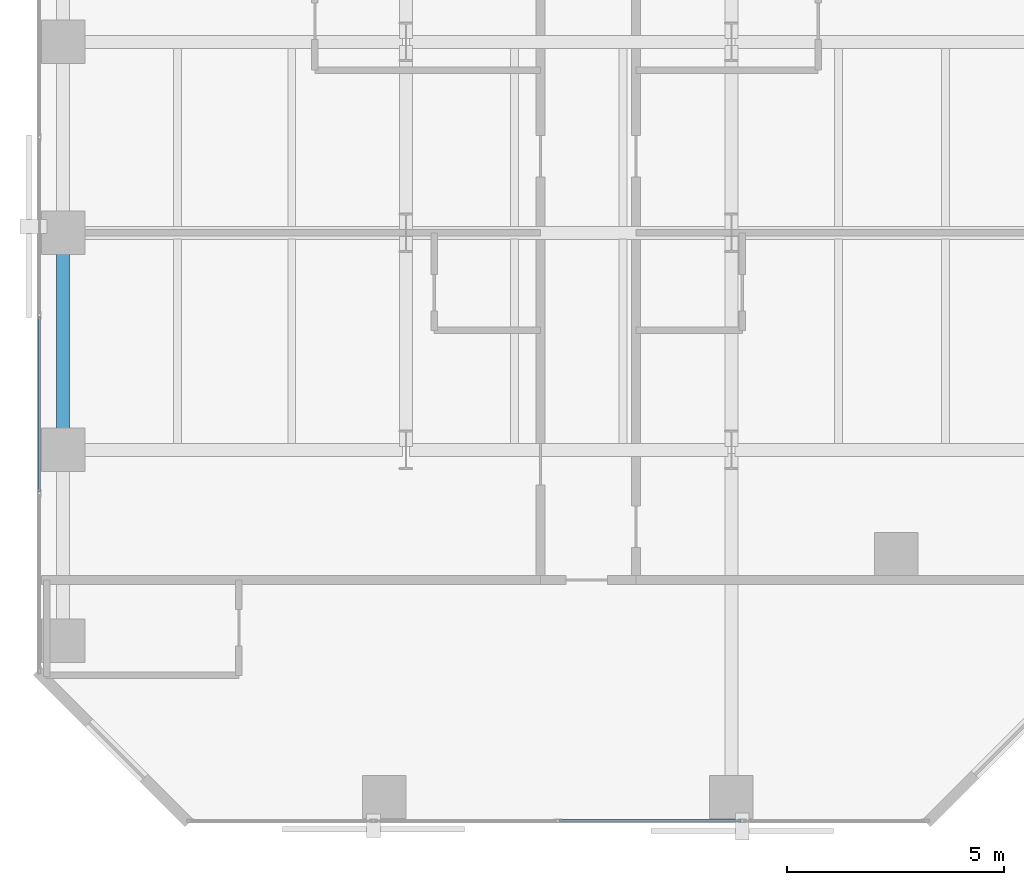
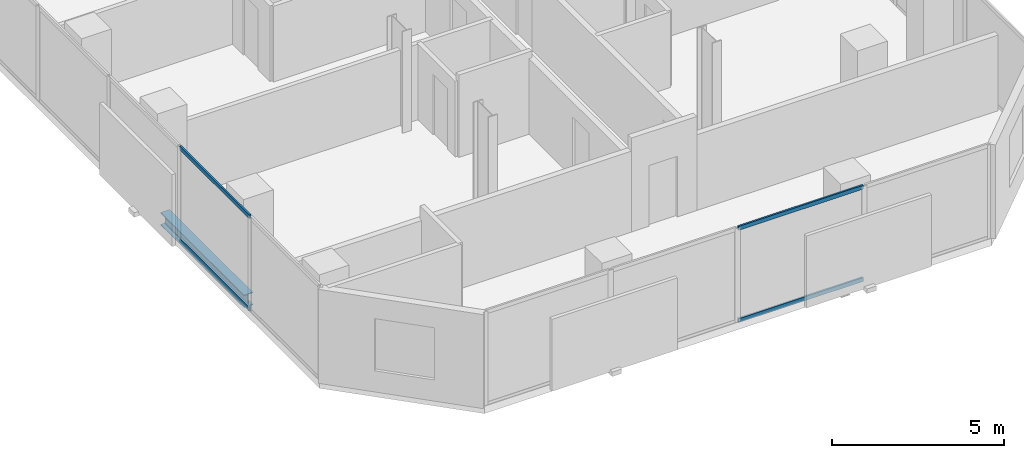
# One storey, part 3 of 32: 4 members, 1 beam, 2 elements without a shape of their own.
"""IFC4 building model written with IfcOpenShell, lengths in metres."""

from ifc_helpers import new_model, si_unit, direction, frame, origin, origin_2d, place, context, subcontext, project, spatial, hollow_rectangle, i_section, extrude, material, layer, layer_set, material_profile, profile_set, type_object, element, aggregate, save


model = new_model("IFC4")

# Units and contexts
model_context = context("Model", 3, precision=1e-05, world=origin(), true_north=direction((0.0, 1.0)))
body_context = subcontext(model_context, "Body", "Model", "MODEL_VIEW")
ifc_project = project(units=[si_unit("LENGTHUNIT", "METRE"), si_unit("AREAUNIT", "SQUARE_METRE"), si_unit("VOLUMEUNIT", "CUBIC_METRE"), si_unit("PLANEANGLEUNIT", "RADIAN"), si_unit("MASSUNIT", "GRAM", prefix="KILO")], contexts=[model_context])

# Site, building, storey
site_placement = place(None, origin())
site = spatial("IfcSite", under=ifc_project, at=site_placement, CompositionType="ELEMENT")
building_placement = place(site_placement, origin())
building = spatial("IfcBuilding", under=site, at=building_placement, Name="Catumbela Crestline Tower", CompositionType="ELEMENT")
storey_placement = place(building_placement, frame((0.0, 0.0, 29.4)))
storey = spatial("IfcBuildingStorey", under=building, at=storey_placement, Name="L06", CompositionType="ELEMENT", Elevation=29.4)

# Beam
ifc_material_1 = material(Name="Structural steel S355J2", Category="steel")
ifc_material_profile_1 = material_profile(ifc_material_1, i_section(OverallWidth=0.3, OverallDepth=0.45, WebThickness=0.014, FlangeThickness=0.026, FilletRadius=0.027, at=origin_2d()), Name="HEB 450")
ifc_profile_set_1 = profile_set([ifc_material_profile_1], Name="Structural steel S355J2")
beam_type = type_object("IfcBeamType", Name="BS-HEB450", PredefinedType="SPANDREL", material=ifc_profile_set_1)
beam_placement = place(storey_placement, frame((0.6, 8.68, -0.485), z_axis=(0.0, 1.0, 0.0), x_axis=(-1.0, 0.0, 0.0)))
element("IfcBeam", 1, at=beam_placement, inside=storey, type_object=beam_type, Name="L06 Spandrel SP-L06-WNS58", PredefinedType="SPANDREL", context=body_context, shape_type="SweptSolid", body=[
    extrude(i_section(OverallWidth=0.3, OverallDepth=0.45, WebThickness=0.014, FlangeThickness=0.026, FilletRadius=0.027, at=origin_2d()), origin(), (0.0, 0.0, 1.0), 4.84),
])

# Curtain wall, members
ifc_material_2 = material(Name="Aluminium alloy AW-6060-T66", Category="aluminium")
ifc_layer = layer(ifc_material_2, 0.18, Name="Aluminium alloy AW-6060-T66")
ifc_layer_set = layer_set([ifc_layer], Name="Aluminium alloy AW-6060-T66")
curtain_wall_type = type_object("IfcCurtainWallType", Name="CWU-Z1", PredefinedType="USERDEFINED", material=ifc_layer_set)
curtain_wall_1_placement = place(storey_placement, origin())
curtain_wall_1 = element("IfcCurtainWall", 2, at=curtain_wall_1_placement, inside=storey, type_object=curtain_wall_type, Name="L06 Unitised Curtain Wall CW-L06-E0S1", ObjectType="UNITISED", PredefinedType="USERDEFINED")
ifc_material_profile_2 = material_profile(ifc_material_2, hollow_rectangle(XDim=0.06, YDim=0.14, WallThickness=0.004, at=origin_2d()), Name="ALU 140x60x4")
ifc_profile_set_2 = profile_set([ifc_material_profile_2], Name="Aluminium alloy AW-6060-T66")
member_type = type_object("IfcMemberType", Name="TRN-140X60", PredefinedType="USERDEFINED", material=ifc_profile_set_2)
member_1_placement = place(storey_placement, frame((12.0325, 0.05, 0.03), z_axis=(1.0, 0.0, 0.0), x_axis=(0.0, 1.0, 0.0)))
member_1 = element("IfcMember", 3, at=member_1_placement, type_object=member_type, Name="CWU-Z1 transom 3.1", ObjectType="TRANSOM", PredefinedType="USERDEFINED", context=body_context, shape_type="SweptSolid", body=[
    extrude(hollow_rectangle(XDim=0.06, YDim=0.14, WallThickness=0.004, at=origin_2d()), origin(), (0.0, 0.0, 1.0), 4.185),
])
member_2_placement = place(storey_placement, frame((12.0325, 0.05, 3.3), z_axis=(1.0, 0.0, 0.0), x_axis=(0.0, 1.0, 0.0)))
member_2 = element("IfcMember", 4, at=member_2_placement, type_object=member_type, Name="CWU-Z1 transom 3.2", ObjectType="TRANSOM", PredefinedType="USERDEFINED", context=body_context, shape_type="SweptSolid", body=[
    extrude(hollow_rectangle(XDim=0.06, YDim=0.14, WallThickness=0.004, at=origin_2d()), origin(), (0.0, 0.0, 1.0), 4.185),
])
aggregate(curtain_wall_1, [member_1, member_2])

curtain_wall_2_placement = place(storey_placement, origin())
curtain_wall_2 = element("IfcCurtainWall", 5, at=curtain_wall_2_placement, inside=storey, type_object=curtain_wall_type, Name="L06 Unitised Curtain Wall CW-L06-E9S1", ObjectType="UNITISED", PredefinedType="USERDEFINED")
member_3_placement = place(storey_placement, frame((0.05, 11.6675, 0.03), z_axis=(0.0, -1.0, 0.0), x_axis=(1.0, 0.0, 0.0)))
member_3 = element("IfcMember", 6, at=member_3_placement, type_object=member_type, Name="CWU-Z1 transom 9.1", ObjectType="TRANSOM", PredefinedType="USERDEFINED", context=body_context, shape_type="SweptSolid", body=[
    extrude(hollow_rectangle(XDim=0.06, YDim=0.14, WallThickness=0.004, at=origin_2d()), origin(), (0.0, 0.0, 1.0), 4.035),
])
member_4_placement = place(storey_placement, frame((0.05, 11.6675, 3.3), z_axis=(0.0, -1.0, 0.0), x_axis=(1.0, 0.0, 0.0)))
member_4 = element("IfcMember", 7, at=member_4_placement, type_object=member_type, Name="CWU-Z1 transom 9.2", ObjectType="TRANSOM", PredefinedType="USERDEFINED", context=body_context, shape_type="SweptSolid", body=[
    extrude(hollow_rectangle(XDim=0.06, YDim=0.14, WallThickness=0.004, at=origin_2d()), origin(), (0.0, 0.0, 1.0), 4.035),
])
aggregate(curtain_wall_2, [member_3, member_4])

save(model, "model.ifc")
